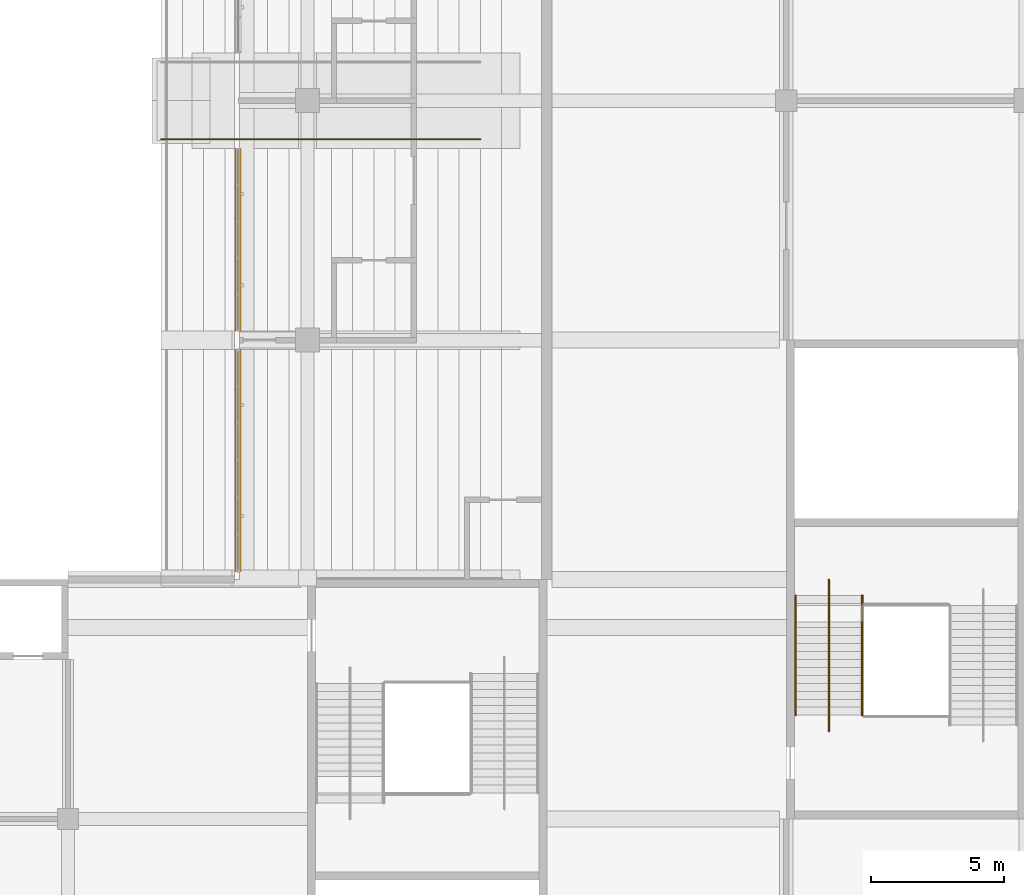
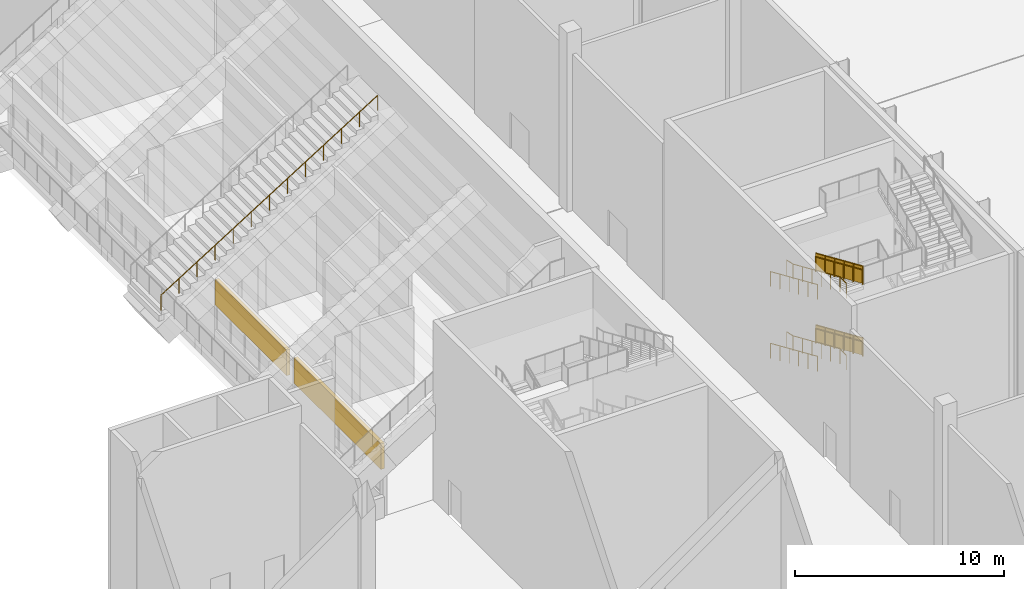
# One storey, part 162 of 182: 9 railings, 2 coverings.
"""IFC4 building model written with IfcOpenShell, lengths in metres."""

from ifc_helpers import new_model, si_unit, direction, frame, origin, origin_2d, place, context, subcontext, project, spatial, polyline, circle, outline, extrude, material, layer, layer_set, type_object, element, save


model = new_model("IFC4")

# Units and contexts
model_context = context("Model", 3, precision=1e-05, world=origin(), true_north=direction((0.0, 1.0)))
body_context = subcontext(model_context, "Body", "Model", "MODEL_VIEW")
ifc_project = project(units=[si_unit("LENGTHUNIT", "METRE"), si_unit("AREAUNIT", "SQUARE_METRE"), si_unit("VOLUMEUNIT", "CUBIC_METRE"), si_unit("PLANEANGLEUNIT", "RADIAN"), si_unit("MASSUNIT", "GRAM", prefix="KILO")], contexts=[model_context])

# Site, building, storey
site_placement = place(None, origin())
site = spatial("IfcSite", under=ifc_project, at=site_placement, CompositionType="ELEMENT")
building_placement = place(site_placement, origin())
building = spatial("IfcBuilding", under=site, at=building_placement, Name="Silverbay Arena", CompositionType="ELEMENT")
storey_placement = place(building_placement, frame((0.0, 0.0, 11.5)))
storey = spatial("IfcBuildingStorey", under=building, at=storey_placement, Name="L02", CompositionType="ELEMENT", Elevation=11.5)

# Railings
ifc_material_1 = material(Name="Stainless steel", Category="steel")
railing_type_1 = type_object("IfcRailingType", Name="Stair guard 1100", PredefinedType="GUARDRAIL", material=ifc_material_1)
railing_1_placement = place(storey_placement, frame((200.875, 62.39990234375, 2.231201171875)))
element("IfcRailing", 1, at=railing_1_placement, inside=storey, type_object=railing_type_1, Name="Stair ST-E1 L02 to L03 flight 2 guard right", PredefinedType="GUARDRAIL", context=body_context, shape_type="SweptSolid", body=[
    extrude(circle(Radius=0.02392578125, at=origin_2d()), frame((0.0, 0.0, 1.076171875), z_axis=(0.0, -0.916157334902, 0.40081883402), x_axis=(1.0, 0.0, 0.0)), (0.0, 0.0, 1.0), 4.911865234375),
    extrude(outline(polyline([(-0.008056640625, 0.04638671875), (0.907958984375, 0.447265625), (0.907958984375, 1.4501953125), (-0.008056640625, 1.049560546875), (-0.008056640625, 0.04638671875)])), frame((0.0029296875, 0.0, 0.0), z_axis=(-1.0, 0.0, 0.0), x_axis=(0.0, -1.0, 0.0)), (0.0, 0.0, 1.0), 0.006103515625),
    extrude(outline(polyline([(-0.008056640625, 0.440185546875), (0.907958984375, 0.841064453125), (0.907958984375, 1.843994140625), (-0.008056640625, 1.443359375), (-0.008056640625, 0.440185546875)])), frame((0.0029296875, -0.89990234375, 0.0), z_axis=(-1.0, 0.0, 0.0), x_axis=(0.0, -1.0, 0.0)), (0.0, 0.0, 1.0), 0.006103515625),
    extrude(outline(polyline([(-0.008056640625, 0.833984375), (0.907958984375, 1.23486328125), (0.907958984375, 2.23779296875), (-0.008056640625, 1.8369140625), (-0.008056640625, 0.833984375)])), frame((0.0029296875, -1.800048828125, 0.0), z_axis=(-1.0, 0.0, 0.0), x_axis=(0.0, -1.0, 0.0)), (0.0, 0.0, 1.0), 0.006103515625),
    extrude(outline(polyline([(-0.008056640625, 1.227783203125), (0.907958984375, 1.62841796875), (0.907958984375, 2.631591796875), (-0.008056640625, 2.230712890625), (-0.008056640625, 1.227783203125)])), frame((0.0029296875, -2.699951171875, 0.0), z_axis=(-1.0, 0.0, 0.0), x_axis=(0.0, -1.0, 0.0)), (0.0, 0.0, 1.0), 0.006103515625),
    extrude(outline(polyline([(-0.008056640625, 1.62158203125), (0.907958984375, 2.022216796875), (0.907958984375, 3.025146484375), (-0.008056640625, 2.62451171875), (-0.008056640625, 1.62158203125)])), frame((0.0029296875, -3.60009765625, 0.0), z_axis=(-1.0, 0.0, 0.0), x_axis=(0.0, -1.0, 0.0)), (0.0, 0.0, 1.0), 0.006103515625),
    extrude(circle(Radius=0.02099609375, at=origin_2d()), origin(), (0.0, 0.0, 1.0), 1.052001953125),
    extrude(circle(Radius=0.02099609375, at=origin_2d()), frame((0.0, -0.89990234375, 0.393798828125)), (0.0, 0.0, 1.0), 1.052001953125),
    extrude(circle(Radius=0.02099609375, at=origin_2d()), frame((0.0, -1.800048828125, 0.78759765625)), (0.0, 0.0, 1.0), 1.052001953125),
    extrude(circle(Radius=0.02099609375, at=origin_2d()), frame((0.0, -2.699951171875, 1.18115234375)), (0.0, 0.0, 1.0), 1.052001953125),
    extrude(circle(Radius=0.02099609375, at=origin_2d()), frame((0.0, -3.60009765625, 1.574951171875)), (0.0, 0.0, 1.0), 1.052001953125),
    extrude(circle(Radius=0.02099609375, at=origin_2d()), frame((0.0, -4.5, 1.96875)), (0.0, 0.0, 1.0), 1.052001953125),
])
railing_2_placement = place(storey_placement, frame((200.875, 62.39990234375, 6.43115234375)))
element("IfcRailing", 2, at=railing_2_placement, inside=storey, type_object=railing_type_1, Name="Stair ST-E1 L02 to L03 flight 4 guard right", PredefinedType="GUARDRAIL", context=body_context, shape_type="SweptSolid", body=[
    extrude(circle(Radius=0.02392578125, at=origin_2d()), frame((0.0, 0.0, 1.076171875), z_axis=(0.0, -0.916157334902, 0.40081883402), x_axis=(1.0, 0.0, 0.0)), (0.0, 0.0, 1.0), 4.911865234375),
    extrude(outline(polyline([(-0.008056640625, 0.04638671875), (0.907958984375, 0.447265625), (0.907958984375, 1.4501953125), (-0.008056640625, 1.049560546875), (-0.008056640625, 0.04638671875)])), frame((0.0029296875, 0.0, 0.0), z_axis=(-1.0, 0.0, 0.0), x_axis=(0.0, -1.0, 0.0)), (0.0, 0.0, 1.0), 0.006103515625),
    extrude(outline(polyline([(-0.008056640625, 0.440185546875), (0.907958984375, 0.841064453125), (0.907958984375, 1.843994140625), (-0.008056640625, 1.443359375), (-0.008056640625, 0.440185546875)])), frame((0.0029296875, -0.89990234375, 0.0), z_axis=(-1.0, 0.0, 0.0), x_axis=(0.0, -1.0, 0.0)), (0.0, 0.0, 1.0), 0.006103515625),
    extrude(outline(polyline([(-0.008056640625, 0.833984375), (0.907958984375, 1.23486328125), (0.907958984375, 2.23779296875), (-0.008056640625, 1.8369140625), (-0.008056640625, 0.833984375)])), frame((0.0029296875, -1.800048828125, 0.0), z_axis=(-1.0, 0.0, 0.0), x_axis=(0.0, -1.0, 0.0)), (0.0, 0.0, 1.0), 0.006103515625),
    extrude(outline(polyline([(-0.008056640625, 1.227783203125), (0.907958984375, 1.62841796875), (0.907958984375, 2.631591796875), (-0.008056640625, 2.230712890625), (-0.008056640625, 1.227783203125)])), frame((0.0029296875, -2.699951171875, 0.0), z_axis=(-1.0, 0.0, 0.0), x_axis=(0.0, -1.0, 0.0)), (0.0, 0.0, 1.0), 0.006103515625),
    extrude(outline(polyline([(-0.008056640625, 1.62158203125), (0.907958984375, 2.022216796875), (0.907958984375, 3.025146484375), (-0.008056640625, 2.62451171875), (-0.008056640625, 1.62158203125)])), frame((0.0029296875, -3.60009765625, 0.0), z_axis=(-1.0, 0.0, 0.0), x_axis=(0.0, -1.0, 0.0)), (0.0, 0.0, 1.0), 0.006103515625),
    extrude(circle(Radius=0.02099609375, at=origin_2d()), origin(), (0.0, 0.0, 1.0), 1.052001953125),
    extrude(circle(Radius=0.02099609375, at=origin_2d()), frame((0.0, -0.89990234375, 0.393798828125)), (0.0, 0.0, 1.0), 1.052001953125),
    extrude(circle(Radius=0.02099609375, at=origin_2d()), frame((0.0, -1.800048828125, 0.78759765625)), (0.0, 0.0, 1.0), 1.052001953125),
    extrude(circle(Radius=0.02099609375, at=origin_2d()), frame((0.0, -2.699951171875, 1.18115234375)), (0.0, 0.0, 1.0), 1.052001953125),
    extrude(circle(Radius=0.02099609375, at=origin_2d()), frame((0.0, -3.60009765625, 1.574951171875)), (0.0, 0.0, 1.0), 1.052001953125),
    extrude(circle(Radius=0.02099609375, at=origin_2d()), frame((0.0, -4.5, 1.96875)), (0.0, 0.0, 1.0), 1.052001953125),
])
ifc_material_2 = material(Name="Stainless steel", Category="steel")
railing_type_2 = type_object("IfcRailingType", Name="Stair handrail 900", PredefinedType="HANDRAIL", material=ifc_material_2)
for number, where, name in (
    (3, (198.35009765625, 62.39990234375, 2.231201171875), "Stair ST-E1 L02 to L03 flight 2 handrail left"),
    (4, (200.8359375, 62.39990234375, 2.231201171875), "Stair ST-E1 L02 to L03 flight 2 handrail right"),
):
    element("IfcRailing", number, at=place(storey_placement, frame(where)), inside=storey, type_object=railing_type_2, Name=name, PredefinedType="HANDRAIL", context=body_context, shape_type="SweptSolid", body=[
        extrude(circle(Radius=0.02392578125, at=origin_2d()), frame((0.0, 0.0, 0.8759765625), z_axis=(0.0, -0.916157334902, 0.40081883402), x_axis=(1.0, 0.0, 0.0)), (0.0, 0.0, 1.0), 4.911865234375),
        extrude(circle(Radius=0.02099609375, at=origin_2d()), origin(), (0.0, 0.0, 1.0), 0.851806640625),
        extrude(circle(Radius=0.02099609375, at=origin_2d()), frame((0.0, -0.89990234375, 0.393798828125)), (0.0, 0.0, 1.0), 0.851806640625),
        extrude(circle(Radius=0.02099609375, at=origin_2d()), frame((0.0, -1.800048828125, 0.78759765625)), (0.0, 0.0, 1.0), 0.851806640625),
        extrude(circle(Radius=0.02099609375, at=origin_2d()), frame((0.0, -2.699951171875, 1.18115234375)), (0.0, 0.0, 1.0), 0.851806640625),
        extrude(circle(Radius=0.02099609375, at=origin_2d()), frame((0.0, -3.60009765625, 1.574951171875)), (0.0, 0.0, 1.0), 0.851806640625),
        extrude(circle(Radius=0.02099609375, at=origin_2d()), frame((0.0, -4.5, 1.96875)), (0.0, 0.0, 1.0), 0.851806640625),
    ])
railing_3_placement = place(storey_placement, frame((199.60009765625, 63.0, 2.10009765625)))
element("IfcRailing", 5, at=railing_3_placement, inside=storey, type_object=railing_type_2, Name="Stair ST-E1 L02 to L03 flight 2 central handrail", PredefinedType="HANDRAIL", context=body_context, shape_type="SweptSolid", body=[
    extrude(circle(Radius=0.02392578125, at=origin_2d()), frame((0.0, 0.0, 0.8759765625), z_axis=(0.0, -0.976957027196, 0.213436095852), x_axis=(1.0, 0.0, 0.0)), (0.0, 0.0, 1.0), 0.6142578125),
    extrude(circle(Radius=0.02392578125, at=origin_2d()), frame((0.0, -0.60009765625, 1.0068359375), z_axis=(0.0, -0.916157334902, 0.40081883402), x_axis=(1.0, 0.0, 0.0)), (0.0, 0.0, 1.0), 4.911865234375),
    extrude(circle(Radius=0.02392578125, at=origin_2d()), frame((0.0, -5.10009765625, 2.9755859375), z_axis=(0.0, -1.0, 0.0), x_axis=(1.0, 0.0, 0.0)), (0.0, 0.0, 1.0), 0.599853515625),
    extrude(circle(Radius=0.02099609375, at=origin_2d()), origin(), (0.0, 0.0, 1.0), 0.851806640625),
    extrude(circle(Radius=0.02099609375, at=origin_2d()), frame((0.0, -0.60009765625, 0.131103515625)), (0.0, 0.0, 1.0), 0.851806640625),
    extrude(circle(Radius=0.02099609375, at=origin_2d()), frame((0.0, -1.5, 0.52490234375)), (0.0, 0.0, 1.0), 0.851806640625),
    extrude(circle(Radius=0.02099609375, at=origin_2d()), frame((0.0, -2.400146484375, 0.918701171875)), (0.0, 0.0, 1.0), 0.851806640625),
    extrude(circle(Radius=0.02099609375, at=origin_2d()), frame((0.0, -3.300048828125, 1.312255859375)), (0.0, 0.0, 1.0), 0.851806640625),
    extrude(circle(Radius=0.02099609375, at=origin_2d()), frame((0.0, -4.2001953125, 1.7060546875)), (0.0, 0.0, 1.0), 0.851806640625),
    extrude(circle(Radius=0.02099609375, at=origin_2d()), frame((0.0, -5.10009765625, 2.099853515625)), (0.0, 0.0, 1.0), 0.851806640625),
    extrude(circle(Radius=0.02099609375, at=origin_2d()), frame((0.0, -5.699951171875, 2.099853515625)), (0.0, 0.0, 1.0), 0.851806640625),
])
for number, where, name in (
    (6, (198.35009765625, 62.39990234375, 6.43115234375), "Stair ST-E1 L02 to L03 flight 4 handrail left"),
    (7, (200.8359375, 62.39990234375, 6.43115234375), "Stair ST-E1 L02 to L03 flight 4 handrail right"),
):
    element("IfcRailing", number, at=place(storey_placement, frame(where)), inside=storey, type_object=railing_type_2, Name=name, PredefinedType="HANDRAIL", context=body_context, shape_type="SweptSolid", body=[
        extrude(circle(Radius=0.02392578125, at=origin_2d()), frame((0.0, 0.0, 0.8759765625), z_axis=(0.0, -0.916157334902, 0.40081883402), x_axis=(1.0, 0.0, 0.0)), (0.0, 0.0, 1.0), 4.911865234375),
        extrude(circle(Radius=0.02099609375, at=origin_2d()), origin(), (0.0, 0.0, 1.0), 0.851806640625),
        extrude(circle(Radius=0.02099609375, at=origin_2d()), frame((0.0, -0.89990234375, 0.393798828125)), (0.0, 0.0, 1.0), 0.851806640625),
        extrude(circle(Radius=0.02099609375, at=origin_2d()), frame((0.0, -1.800048828125, 0.78759765625)), (0.0, 0.0, 1.0), 0.851806640625),
        extrude(circle(Radius=0.02099609375, at=origin_2d()), frame((0.0, -2.699951171875, 1.18115234375)), (0.0, 0.0, 1.0), 0.851806640625),
        extrude(circle(Radius=0.02099609375, at=origin_2d()), frame((0.0, -3.60009765625, 1.574951171875)), (0.0, 0.0, 1.0), 0.851806640625),
        extrude(circle(Radius=0.02099609375, at=origin_2d()), frame((0.0, -4.5, 1.96875)), (0.0, 0.0, 1.0), 0.851806640625),
    ])
railing_4_placement = place(storey_placement, frame((199.60009765625, 63.0, 6.300048828125)))
element("IfcRailing", 8, at=railing_4_placement, inside=storey, type_object=railing_type_2, Name="Stair ST-E1 L02 to L03 flight 4 central handrail", PredefinedType="HANDRAIL", context=body_context, shape_type="SweptSolid", body=[
    extrude(circle(Radius=0.02392578125, at=origin_2d()), frame((0.0, 0.0, 0.8759765625), z_axis=(0.0, -0.976957027196, 0.213436095852), x_axis=(1.0, 0.0, 0.0)), (0.0, 0.0, 1.0), 0.6142578125),
    extrude(circle(Radius=0.02392578125, at=origin_2d()), frame((0.0, -0.60009765625, 1.0068359375), z_axis=(0.0, -0.916157334902, 0.40081883402), x_axis=(1.0, 0.0, 0.0)), (0.0, 0.0, 1.0), 4.911865234375),
    extrude(circle(Radius=0.02392578125, at=origin_2d()), frame((0.0, -5.10009765625, 2.9755859375), z_axis=(0.0, -1.0, 0.0), x_axis=(1.0, 0.0, 0.0)), (0.0, 0.0, 1.0), 0.599853515625),
    extrude(circle(Radius=0.02099609375, at=origin_2d()), origin(), (0.0, 0.0, 1.0), 0.851806640625),
    extrude(circle(Radius=0.02099609375, at=origin_2d()), frame((0.0, -0.60009765625, 0.131103515625)), (0.0, 0.0, 1.0), 0.851806640625),
    extrude(circle(Radius=0.02099609375, at=origin_2d()), frame((0.0, -1.5, 0.52490234375)), (0.0, 0.0, 1.0), 0.851806640625),
    extrude(circle(Radius=0.02099609375, at=origin_2d()), frame((0.0, -2.400146484375, 0.918701171875)), (0.0, 0.0, 1.0), 0.851806640625),
    extrude(circle(Radius=0.02099609375, at=origin_2d()), frame((0.0, -3.300048828125, 1.312255859375)), (0.0, 0.0, 1.0), 0.851806640625),
    extrude(circle(Radius=0.02099609375, at=origin_2d()), frame((0.0, -4.2001953125, 1.7060546875)), (0.0, 0.0, 1.0), 0.851806640625),
    extrude(circle(Radius=0.02099609375, at=origin_2d()), frame((0.0, -5.10009765625, 2.099853515625)), (0.0, 0.0, 1.0), 0.851806640625),
    extrude(circle(Radius=0.02099609375, at=origin_2d()), frame((0.0, -5.699951171875, 2.099853515625)), (0.0, 0.0, 1.0), 0.851806640625),
])
railing_5_placement = place(storey_placement, frame((174.5, 79.550048828125, 3.0)))
element("IfcRailing", 9, at=railing_5_placement, inside=storey, type_object=railing_type_2, Name="Vomitory stair V12 handrail left", PredefinedType="HANDRAIL", context=body_context, shape_type="SweptSolid", body=[
    extrude(circle(Radius=0.02392578125, at=origin_2d()), frame((0.0, 0.0, 0.8759765625), z_axis=(0.847998304005, 0.0, 0.529998940003), x_axis=(0.0, 1.0, 0.0)), (0.0, 0.0, 1.0), 14.15087890625),
    extrude(circle(Radius=0.02099609375, at=origin_2d()), origin(), (0.0, 0.0, 1.0), 0.851806640625),
    extrude(circle(Radius=0.02099609375, at=origin_2d()), frame((1.0, 0.0, 0.625)), (0.0, 0.0, 1.0), 0.851806640625),
    extrude(circle(Radius=0.02099609375, at=origin_2d()), frame((2.0, 0.0, 1.25)), (0.0, 0.0, 1.0), 0.851806640625),
    extrude(circle(Radius=0.02099609375, at=origin_2d()), frame((3.0, 0.0, 1.875)), (0.0, 0.0, 1.0), 0.851806640625),
    extrude(circle(Radius=0.02099609375, at=origin_2d()), frame((4.0, 0.0, 2.5)), (0.0, 0.0, 1.0), 0.851806640625),
    extrude(circle(Radius=0.02099609375, at=origin_2d()), frame((5.0, 0.0, 3.125)), (0.0, 0.0, 1.0), 0.851806640625),
    extrude(circle(Radius=0.02099609375, at=origin_2d()), frame((6.0, 0.0, 3.75)), (0.0, 0.0, 1.0), 0.851806640625),
    extrude(circle(Radius=0.02099609375, at=origin_2d()), frame((7.0, 0.0, 4.375)), (0.0, 0.0, 1.0), 0.851806640625),
    extrude(circle(Radius=0.02099609375, at=origin_2d()), frame((8.0, 0.0, 5.0)), (0.0, 0.0, 1.0), 0.851806640625),
    extrude(circle(Radius=0.02099609375, at=origin_2d()), frame((9.0, 0.0, 5.625)), (0.0, 0.0, 1.0), 0.851806640625),
    extrude(circle(Radius=0.02099609375, at=origin_2d()), frame((10.0, 0.0, 6.25)), (0.0, 0.0, 1.0), 0.851806640625),
    extrude(circle(Radius=0.02099609375, at=origin_2d()), frame((11.0, 0.0, 6.875)), (0.0, 0.0, 1.0), 0.851806640625),
    extrude(circle(Radius=0.02099609375, at=origin_2d()), frame((12.0, 0.0, 7.5)), (0.0, 0.0, 1.0), 0.851806640625),
])

# Coverings
ifc_material_3 = material(Name="Aluminium composite cladding", Category="aluminium")
ifc_layer = layer(ifc_material_3, 0.199951171875)
ifc_layer_set = layer_set([ifc_layer], Name="Aluminium composite cladding")
covering_type = type_object("IfcCoveringType", Name="Suite front fascia cladding 200", PredefinedType="CLADDING", material=ifc_layer_set)
covering_1_placement = place(storey_placement, frame((0.0, 0.0, 2.537109375)))
element("IfcCovering", 10, at=covering_1_placement, inside=storey, type_object=covering_type, Name="East suite front fascia 1", PredefinedType="CLADDING", context=body_context, shape_type="SweptSolid", body=[
    extrude(outline(polyline([(177.300048828125, 63.300048828125), (177.300048828125, 71.64990234375), (177.5, 71.64990234375), (177.5, 63.300048828125), (177.300048828125, 63.300048828125)])), origin(), (0.0, 0.0, 1.0), 1.496826171875),
])
covering_2_placement = place(storey_placement, frame((0.0, 0.0, 2.537109375)))
element("IfcCovering", 11, at=covering_2_placement, inside=storey, type_object=covering_type, Name="East suite front fascia 2", PredefinedType="CLADDING", context=body_context, shape_type="SweptSolid", body=[
    extrude(outline(polyline([(177.300048828125, 72.35009765625), (177.300048828125, 79.199951171875), (177.5, 79.199951171875), (177.5, 72.35009765625), (177.300048828125, 72.35009765625)])), origin(), (0.0, 0.0, 1.0), 1.496826171875),
])

save(model, "model.ifc")
